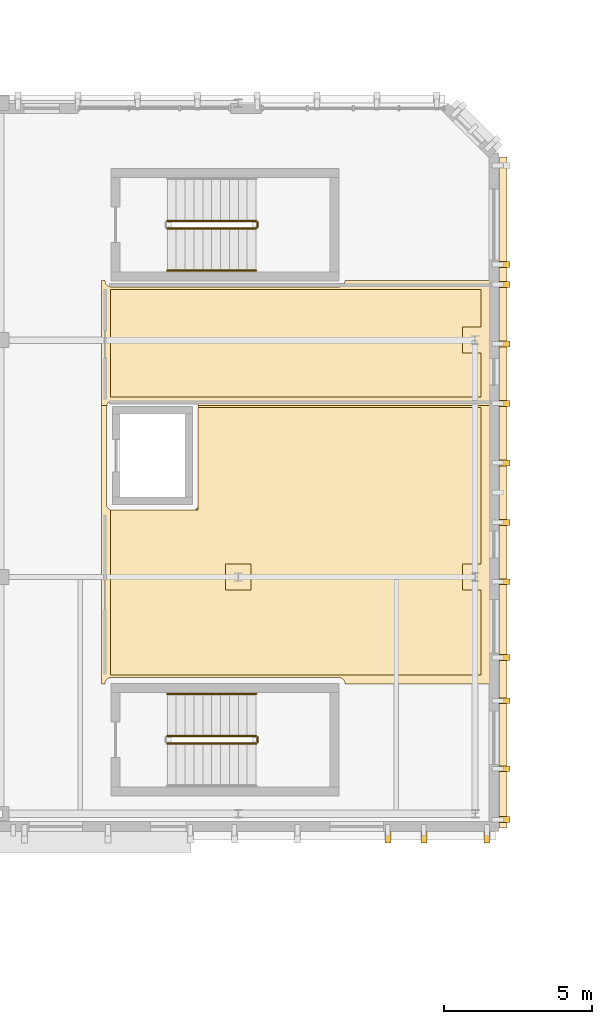
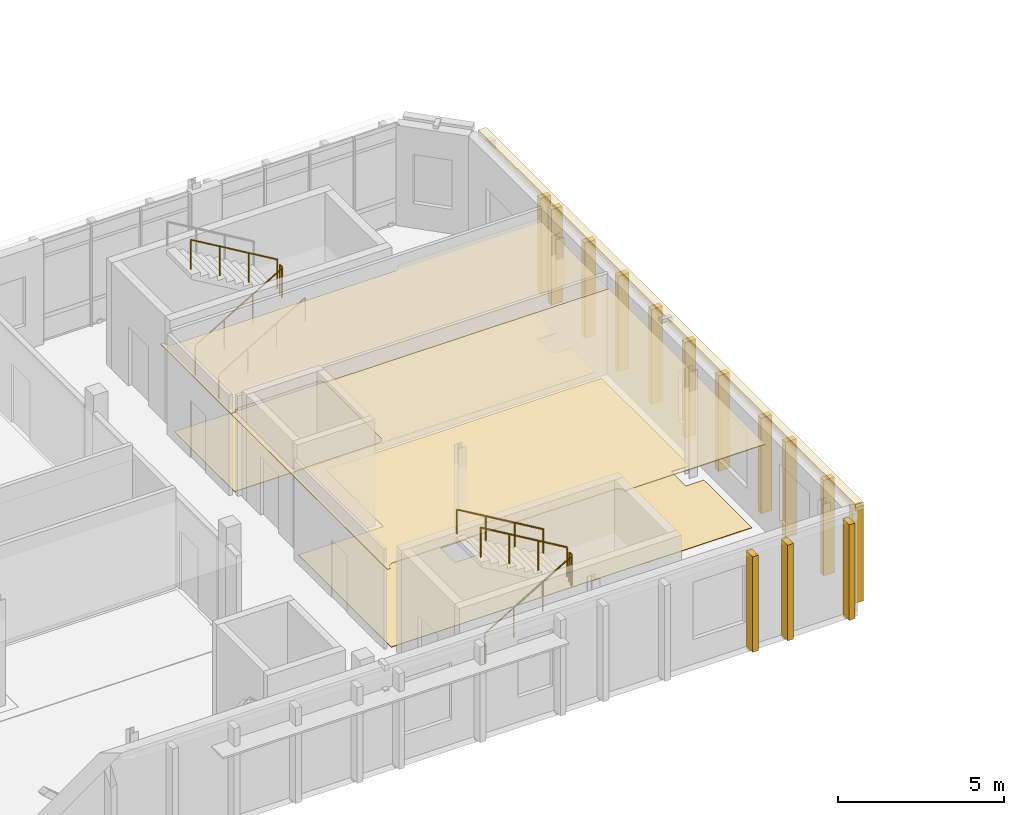
# One storey, part 36 of 40: 19 coverings, 8 railings.
"""IFC4 building model written with IfcOpenShell, lengths in metres."""

from ifc_helpers import new_model, si_unit, direction, frame, origin, origin_2d, place, context, subcontext, project, spatial, polyline, rectangle, circle, outline, extrude, material, layer, layer_set, type_object, element, save


model = new_model("IFC4")

# Units and contexts
model_context = context("Model", 3, precision=1e-05, world=origin(), true_north=direction((0.0, 1.0)))
body_context = subcontext(model_context, "Body", "Model", "MODEL_VIEW")
ifc_project = project(units=[si_unit("LENGTHUNIT", "METRE"), si_unit("AREAUNIT", "SQUARE_METRE"), si_unit("VOLUMEUNIT", "CUBIC_METRE"), si_unit("PLANEANGLEUNIT", "RADIAN"), si_unit("MASSUNIT", "GRAM", prefix="KILO")], contexts=[model_context])

# Site, building, storey
site_placement = place(None, origin())
site = spatial("IfcSite", under=ifc_project, at=site_placement, CompositionType="ELEMENT")
building_placement = place(site_placement, origin())
building = spatial("IfcBuilding", under=site, at=building_placement, Name="Cymarion Research Institute", CompositionType="ELEMENT")
storey_placement = place(building_placement, frame((0.0, 0.0, 26.699951171875)))
storey = spatial("IfcBuildingStorey", under=building, at=storey_placement, Name="L06", CompositionType="ELEMENT", Elevation=26.699951171875)

# Coverings
ifc_material_1 = material(Name="Micro-perforated mineral acoustic ceiling tile", Category="gypsum")
ifc_layer_1 = layer(ifc_material_1, 0.030029296875)
ifc_layer_set_1 = layer_set([ifc_layer_1], Name="Micro-perforated mineral acoustic ceiling tile")
covering_type_1 = type_object("IfcCoveringType", Name="ACOUSTIC MICRO-PERFORATED SUSPENDED CEILING CLG-01", PredefinedType="CEILING", material=ifc_layer_set_1)
covering_1_placement = place(storey_placement, frame((0.0, 0.0, 3.130126953125)))
element("IfcCovering", 1, at=covering_1_placement, inside=storey, type_object=covering_type_1, Name="L06 L06 Optics Researcher Write-Up & Simulation Office acoustic ceiling", PredefinedType="CEILING", context=body_context, shape_type="SweptSolid", body=[
    extrude(outline(polyline([(47.094970703125, 61.514892578125), (47.094970703125, 51.885009765625), (42.199951171875, 51.885009765625), (42.199951171875, 51.89990234375), (42.198974609375, 51.919677734375), (42.1962890625, 51.93896484375), (42.19140625, 51.9580078125), (42.184814453125, 51.9765625), (42.176513671875, 51.994384765625), (42.166259765625, 52.010986328125), (42.154541015625, 52.02685546875), (42.141357421875, 52.04150390625), (42.126953125, 52.0546875), (42.111083984375, 52.06640625), (42.09423828125, 52.076416015625), (42.076416015625, 52.084716796875), (42.05810546875, 52.09130859375), (42.0390625, 52.09619140625), (42.01953125, 52.09912109375), (42.0, 52.10009765625), (34.300048828125, 52.10009765625), (34.280517578125, 52.09912109375), (34.260986328125, 52.09619140625), (34.241943359375, 52.09130859375), (34.223388671875, 52.084716796875), (34.205810546875, 52.076416015625), (34.18896484375, 52.06640625), (34.173095703125, 52.0546875), (34.15869140625, 52.04150390625), (34.1455078125, 52.02685546875), (34.1337890625, 52.010986328125), (34.12353515625, 51.994384765625), (34.115234375, 51.9765625), (34.108642578125, 51.9580078125), (34.103759765625, 51.93896484375), (34.10107421875, 51.919677734375), (34.10009765625, 51.89990234375), (34.10009765625, 51.885009765625), (33.985107421875, 51.885009765625), (33.985107421875, 61.514892578125), (47.094970703125, 61.514892578125)]), holes=[polyline([(34.31103515625, 57.75390625), (34.330322265625, 57.7509765625), (34.35009765625, 57.75), (37.050048828125, 57.75), (37.069580078125, 57.7509765625), (37.089111328125, 57.75390625), (37.108154296875, 57.758544921875), (37.12646484375, 57.76513671875), (37.144287109375, 57.773681640625), (37.1611328125, 57.78369140625), (37.177001953125, 57.79541015625), (37.19140625, 57.80859375), (37.20458984375, 57.822998046875), (37.21630859375, 57.8388671875), (37.226318359375, 57.855712890625), (37.23486328125, 57.87353515625), (37.241455078125, 57.891845703125), (37.24609375, 57.910888671875), (37.2490234375, 57.930419921875), (37.25, 57.949951171875), (37.25, 61.25), (37.2490234375, 61.26953125), (37.24609375, 61.2890625), (37.241455078125, 61.30810546875), (37.23486328125, 61.326416015625), (37.226318359375, 61.34423828125), (37.21630859375, 61.361083984375), (37.20458984375, 61.376953125), (37.19140625, 61.391357421875), (37.177001953125, 61.404541015625), (37.1611328125, 61.416259765625), (37.144287109375, 61.426513671875), (37.12646484375, 61.434814453125), (37.108154296875, 61.44140625), (37.089111328125, 61.4462890625), (37.069580078125, 61.448974609375), (37.050048828125, 61.449951171875), (34.35009765625, 61.449951171875), (34.330322265625, 61.448974609375), (34.31103515625, 61.4462890625), (34.2919921875, 61.44140625), (34.2734375, 61.434814453125), (34.255615234375, 61.426513671875), (34.239013671875, 61.416259765625), (34.22314453125, 61.404541015625), (34.20849609375, 61.391357421875), (34.1953125, 61.376953125), (34.18359375, 61.361083984375), (34.173583984375, 61.34423828125), (34.165283203125, 61.326416015625), (34.15869140625, 61.30810546875), (34.15380859375, 61.2890625), (34.15087890625, 61.26953125), (34.14990234375, 61.25), (34.14990234375, 57.949951171875), (34.15087890625, 57.930419921875), (34.15380859375, 57.910888671875), (34.15869140625, 57.891845703125), (34.165283203125, 57.87353515625), (34.173583984375, 57.855712890625), (34.18359375, 57.8388671875), (34.1953125, 57.822998046875), (34.20849609375, 57.80859375), (34.22314453125, 57.79541015625), (34.239013671875, 57.78369140625), (34.255615234375, 57.773681640625), (34.2734375, 57.76513671875), (34.2919921875, 57.758544921875), (34.31103515625, 57.75390625)])]), origin(), (0.0, 0.0, 1.0), 0.030029296875),
])
covering_2_placement = place(storey_placement, frame((0.0, 0.0, 3.130126953125)))
element("IfcCovering", 2, at=covering_2_placement, inside=storey, type_object=covering_type_1, Name="L06 L06 Accessible WC and Upper V4 Staff Washrooms acoustic ceiling", PredefinedType="CEILING", context=body_context, shape_type="SweptSolid", body=[
    extrude(outline(polyline([(34.10009765625, 65.514892578125), (34.10009765625, 65.5), (34.10107421875, 65.48046875), (34.103759765625, 65.4609375), (34.108642578125, 65.44189453125), (34.115234375, 65.423583984375), (34.12353515625, 65.40576171875), (34.1337890625, 65.388916015625), (34.1455078125, 65.373046875), (34.15869140625, 65.358642578125), (34.173095703125, 65.345458984375), (34.18896484375, 65.333740234375), (34.205810546875, 65.323486328125), (34.223388671875, 65.315185546875), (34.241943359375, 65.30859375), (34.260986328125, 65.3037109375), (34.280517578125, 65.301025390625), (34.300048828125, 65.300048828125), (42.0, 65.300048828125), (42.01953125, 65.301025390625), (42.0390625, 65.3037109375), (42.05810546875, 65.30859375), (42.076416015625, 65.315185546875), (42.09423828125, 65.323486328125), (42.111083984375, 65.333740234375), (42.126953125, 65.345458984375), (42.141357421875, 65.358642578125), (42.154541015625, 65.373046875), (42.166259765625, 65.388916015625), (42.176513671875, 65.40576171875), (42.184814453125, 65.423583984375), (42.19140625, 65.44189453125), (42.1962890625, 65.4609375), (42.198974609375, 65.48046875), (42.199951171875, 65.5), (42.199951171875, 65.514892578125), (47.094970703125, 65.514892578125), (47.094970703125, 61.284912109375), (37.246826171875, 61.284912109375), (37.24609375, 61.2890625), (37.241455078125, 61.30810546875), (37.23486328125, 61.326416015625), (37.226318359375, 61.34423828125), (37.21630859375, 61.361083984375), (37.20458984375, 61.376953125), (37.19140625, 61.391357421875), (37.177001953125, 61.404541015625), (37.1611328125, 61.416259765625), (37.144287109375, 61.426513671875), (37.12646484375, 61.434814453125), (37.108154296875, 61.44140625), (37.089111328125, 61.4462890625), (37.069580078125, 61.448974609375), (37.050048828125, 61.449951171875), (34.35009765625, 61.449951171875), (34.330322265625, 61.448974609375), (34.31103515625, 61.4462890625), (34.2919921875, 61.44140625), (34.2734375, 61.434814453125), (34.255615234375, 61.426513671875), (34.239013671875, 61.416259765625), (34.22314453125, 61.404541015625), (34.20849609375, 61.391357421875), (34.1953125, 61.376953125), (34.18359375, 61.361083984375), (34.173583984375, 61.34423828125), (34.165283203125, 61.326416015625), (34.15869140625, 61.30810546875), (34.15380859375, 61.2890625), (34.1533203125, 61.284912109375), (33.985107421875, 61.284912109375), (33.985107421875, 65.514892578125), (34.10009765625, 65.514892578125)])), origin(), (0.0, 0.0, 1.0), 0.030029296875),
])

# Railings
ifc_material_2 = material(Name="Steel S355", Category="steel")
railing_type_1 = type_object("IfcRailingType", Name="PAINTED STEEL STAIR GUARDRAIL GR1 1100MM", PredefinedType="GUARDRAIL", material=ifc_material_2)
railing_1_placement = place(storey_placement, frame((36.199951171875, 49.8701171875, 0.17724609375)))
element("IfcRailing", 3, at=railing_1_placement, inside=storey, type_object=railing_type_1, Name="L06 ST7 stair guard 1", PredefinedType="GUARDRAIL", context=body_context, shape_type="SweptSolid", body=[
    extrude(circle(Radius=0.02392578125, at=origin_2d()), frame((0.0, 0.0, 1.076171875), z_axis=(0.86092931783, 0.0, 0.508724591208), x_axis=(0.0, 1.0, 0.0)), (0.0, 0.0, 1.0), 3.484619140625),
    extrude(circle(Radius=0.02099609375, at=origin_2d()), origin(), (0.0, 0.0, 1.0), 1.052001953125),
    extrude(circle(Radius=0.02099609375, at=origin_2d()), frame((1.0, 0.0, 0.5908203125)), (0.0, 0.0, 1.0), 1.052001953125),
    extrude(circle(Radius=0.02099609375, at=origin_2d()), frame((2.0, 0.0, 1.181884765625)), (0.0, 0.0, 1.0), 1.052001953125),
    extrude(circle(Radius=0.02099609375, at=origin_2d()), frame((3.0, 0.0, 1.772705078125)), (0.0, 0.0, 1.0), 1.052001953125),
])
railing_2_placement = place(storey_placement, frame((39.25, 49.919921875, 1.949951171875)))
element("IfcRailing", 4, at=railing_2_placement, inside=storey, type_object=railing_type_1, Name="L06 ST7 stair guard 2", PredefinedType="GUARDRAIL", context=body_context, shape_type="SweptSolid", body=[
    extrude(circle(Radius=0.02392578125, at=origin_2d()), frame((0.0, 0.0, 1.076171875), z_axis=(0.0, 1.0, 0.0), x_axis=(-1.0, 0.0, 0.0)), (0.0, 0.0, 1.0), 0.16015625),
    extrude(circle(Radius=0.02099609375, at=origin_2d()), origin(), (0.0, 0.0, 1.0), 1.052001953125),
    extrude(circle(Radius=0.02099609375, at=origin_2d()), frame((0.0, 0.16015625, 0.0)), (0.0, 0.0, 1.0), 1.052001953125),
])
railing_3_placement = place(storey_placement, frame((39.199951171875, 50.1298828125, 2.12744140625)))
element("IfcRailing", 5, at=railing_3_placement, inside=storey, type_object=railing_type_1, Name="L06 ST7 stair guard 3", PredefinedType="GUARDRAIL", context=body_context, shape_type="SweptSolid", body=[
    extrude(circle(Radius=0.02392578125, at=origin_2d()), frame((0.0, 0.0, 1.076171875), z_axis=(-0.86092931783, 0.0, 0.508724591208), x_axis=(0.0, -1.0, 0.0)), (0.0, 0.0, 1.0), 3.484619140625),
    extrude(circle(Radius=0.02099609375, at=origin_2d()), origin(), (0.0, 0.0, 1.0), 1.052001953125),
    extrude(circle(Radius=0.02099609375, at=origin_2d()), frame((-1.0, 0.0, 0.5908203125)), (0.0, 0.0, 1.0), 1.052001953125),
    extrude(circle(Radius=0.02099609375, at=origin_2d()), frame((-2.0, 0.0, 1.181884765625)), (0.0, 0.0, 1.0), 1.052001953125),
    extrude(circle(Radius=0.02099609375, at=origin_2d()), frame((-3.0, 0.0, 1.772705078125)), (0.0, 0.0, 1.0), 1.052001953125),
])
railing_4_placement = place(storey_placement, frame((36.199951171875, 67.27001953125, 0.17724609375)))
element("IfcRailing", 6, at=railing_4_placement, inside=storey, type_object=railing_type_1, Name="L06 ST8 stair guard 1", PredefinedType="GUARDRAIL", context=body_context, shape_type="SweptSolid", body=[
    extrude(circle(Radius=0.02392578125, at=origin_2d()), frame((0.0, 0.0, 1.076171875), z_axis=(0.86092931783, 0.0, 0.508724591208), x_axis=(0.0, 1.0, 0.0)), (0.0, 0.0, 1.0), 3.484619140625),
    extrude(circle(Radius=0.02099609375, at=origin_2d()), origin(), (0.0, 0.0, 1.0), 1.052001953125),
    extrude(circle(Radius=0.02099609375, at=origin_2d()), frame((1.0, 0.0, 0.5908203125)), (0.0, 0.0, 1.0), 1.052001953125),
    extrude(circle(Radius=0.02099609375, at=origin_2d()), frame((2.0, 0.0, 1.181884765625)), (0.0, 0.0, 1.0), 1.052001953125),
    extrude(circle(Radius=0.02099609375, at=origin_2d()), frame((3.0, 0.0, 1.772705078125)), (0.0, 0.0, 1.0), 1.052001953125),
])
railing_5_placement = place(storey_placement, frame((39.25, 67.320068359375, 1.949951171875)))
element("IfcRailing", 7, at=railing_5_placement, inside=storey, type_object=railing_type_1, Name="L06 ST8 stair guard 2", PredefinedType="GUARDRAIL", context=body_context, shape_type="SweptSolid", body=[
    extrude(circle(Radius=0.02392578125, at=origin_2d()), frame((0.0, 0.0, 1.076171875), z_axis=(0.0, 1.0, 0.0), x_axis=(-1.0, 0.0, 0.0)), (0.0, 0.0, 1.0), 0.159912109375),
    extrude(circle(Radius=0.02099609375, at=origin_2d()), origin(), (0.0, 0.0, 1.0), 1.052001953125),
    extrude(circle(Radius=0.02099609375, at=origin_2d()), frame((0.0, 0.159912109375, 0.0)), (0.0, 0.0, 1.0), 1.052001953125),
])
railing_6_placement = place(storey_placement, frame((39.199951171875, 67.530029296875, 2.12744140625)))
element("IfcRailing", 8, at=railing_6_placement, inside=storey, type_object=railing_type_1, Name="L06 ST8 stair guard 3", PredefinedType="GUARDRAIL", context=body_context, shape_type="SweptSolid", body=[
    extrude(circle(Radius=0.02392578125, at=origin_2d()), frame((0.0, 0.0, 1.076171875), z_axis=(-0.86092931783, 0.0, 0.508724591208), x_axis=(0.0, -1.0, 0.0)), (0.0, 0.0, 1.0), 3.484619140625),
    extrude(circle(Radius=0.02099609375, at=origin_2d()), origin(), (0.0, 0.0, 1.0), 1.052001953125),
    extrude(circle(Radius=0.02099609375, at=origin_2d()), frame((-1.0, 0.0, 0.5908203125)), (0.0, 0.0, 1.0), 1.052001953125),
    extrude(circle(Radius=0.02099609375, at=origin_2d()), frame((-2.0, 0.0, 1.181884765625)), (0.0, 0.0, 1.0), 1.052001953125),
    extrude(circle(Radius=0.02099609375, at=origin_2d()), frame((-3.0, 0.0, 1.772705078125)), (0.0, 0.0, 1.0), 1.052001953125),
])

# Coverings
ifc_material_3 = material(Name="Precast concrete C45/55 architectural white", Category="concrete")
ifc_layer_2 = layer(ifc_material_3, 0.260009765625)
ifc_layer_set_2 = layer_set([ifc_layer_2], Name="Precast concrete C45/55 architectural white")
covering_type_2 = type_object("IfcCoveringType", Name="SCULPTURAL WHITE PRECAST CONCRETE SPANDREL BROW BAND RIB2 280MM", PredefinedType="CLADDING", material=ifc_layer_set_2)
covering_3_placement = place(storey_placement, frame((47.5419921875, 58.35009765625, 3.52001953125), z_axis=(0.0, 0.0, 1.0), x_axis=(1.0, 0.0, 0.0)))
element("IfcCovering", 9, at=covering_3_placement, inside=storey, type_object=covering_type_2, Name="L06 V4 precast spandrel brow band RIB2 #1119", PredefinedType="CLADDING", context=body_context, shape_type="SweptSolid", body=[
    extrude(rectangle(XDim=0.280029296875, YDim=22.659912109375, at=origin_2d()), origin(), (0.0, 0.0, 1.0), 0.260009765625),
])
ifc_layer_3 = layer(ifc_material_3, 0.199951171875)
ifc_layer_set_3 = layer_set([ifc_layer_3], Name="Precast concrete C45/55 architectural white")
covering_type_3 = type_object("IfcCoveringType", Name="SCULPTURAL WHITE PRECAST CONCRETE VERTICAL RIB RIB1 380X200", PredefinedType="CLADDING", material=ifc_layer_set_3)
for number, where, z_axis, x_axis, name in (
    (10, (43.64990234375, 46.7080078125, 0.010009765625), (0.0, 0.0, 1.0), (0.0, -1.0, 0.0), "L06 V4 sculptural precast vertical rib RIB1 #1116"),
    (11, (44.86669921875, 46.7080078125, 0.010009765625), (0.0, 0.0, 1.0), (0.0, -1.0, 0.0), "L06 V4 sculptural precast vertical rib RIB1 #1117"),
    (12, (47.0, 46.7080078125, 0.010009765625), (0.0, 0.0, 1.0), (0.0, -1.0, 0.0), "L06 V4 sculptural precast vertical rib RIB1 #1118"),
    (13, (47.592041015625, 47.300048828125, 0.010009765625), (0.0, 0.0, 1.0), (1.0, 0.0, 0.0), "L06 V4 sculptural precast vertical rib RIB1 #1120"),
    (14, (47.592041015625, 49.02001953125, 0.010009765625), (0.0, 0.0, 1.0), (1.0, 0.0, 0.0), "L06 V4 sculptural precast vertical rib RIB1 #1121"),
    (15, (47.592041015625, 51.318115234375, 0.010009765625), (0.0, 0.0, 1.0), (1.0, 0.0, 0.0), "L06 V4 sculptural precast vertical rib RIB1 #1122"),
    (16, (47.592041015625, 52.780029296875, 0.010009765625), (0.0, 0.0, 1.0), (1.0, 0.0, 0.0), "L06 V4 sculptural precast vertical rib RIB1 #1123"),
    (17, (47.592041015625, 55.33642578125, 0.010009765625), (0.0, 0.0, 1.0), (1.0, 0.0, 0.0), "L06 V4 sculptural precast vertical rib RIB1 #1124"),
    (18, (47.592041015625, 57.345458984375, 0.010009765625), (0.0, 0.0, 1.0), (1.0, 0.0, 0.0), "L06 V4 sculptural precast vertical rib RIB1 #1125"),
    (19, (47.592041015625, 59.3544921875, 0.010009765625), (0.0, 0.0, 1.0), (1.0, 0.0, 0.0), "L06 V4 sculptural precast vertical rib RIB1 #1126"),
    (20, (47.592041015625, 61.363525390625, 0.010009765625), (0.0, 0.0, 1.0), (1.0, 0.0, 0.0), "L06 V4 sculptural precast vertical rib RIB1 #1127"),
    (21, (47.592041015625, 63.372802734375, 0.010009765625), (0.0, 0.0, 1.0), (1.0, 0.0, 0.0), "L06 V4 sculptural precast vertical rib RIB1 #1128"),
    (22, (47.592041015625, 65.3818359375, 0.010009765625), (0.0, 0.0, 1.0), (1.0, 0.0, 0.0), "L06 V4 sculptural precast vertical rib RIB1 #1129"),
    (23, (47.592041015625, 66.054931640625, 0.010009765625), (0.0, 0.0, 1.0), (1.0, 0.0, 0.0), "L06 V4 sculptural precast vertical rib RIB1 #1130"),
):
    element("IfcCovering", number, at=place(storey_placement, frame(where, z_axis=z_axis, x_axis=x_axis)), inside=storey, type_object=covering_type_3, Name=name, PredefinedType="CLADDING", context=body_context, shape_type="SweptSolid", body=[
        extrude(rectangle(XDim=0.3798828125, YDim=0.199951171875, at=origin_2d()), origin(), (0.0, 0.0, 1.0), 3.5048828125),
    ])
ifc_material_4 = material(Name="Seamless dissipative epoxy resin flooring", Category="resin")
ifc_layer_4 = layer(ifc_material_4, 0.02001953125)
ifc_layer_set_4 = layer_set([ifc_layer_4], Name="Seamless dissipative epoxy resin flooring")
covering_type_4 = type_object("IfcCoveringType", Name="SEAMLESS ESD EPOXY LABORATORY FLOORING FLR-01", PredefinedType="FLOORING", material=ifc_layer_set_4)
covering_4_placement = place(storey_placement, origin())
element("IfcCovering", 24, at=covering_4_placement, inside=storey, type_object=covering_type_4, Name="L06 L06 Optics Researcher Write-Up & Simulation Office ESD epoxy flooring", PredefinedType="FLOORING", context=body_context, shape_type="SweptSolid", body=[
    extrude(outline(polyline([(37.235107421875, 61.215087890625), (46.794921875, 61.215087890625), (46.794921875, 55.93505859375), (46.1650390625, 55.93505859375), (46.1650390625, 55.06494140625), (46.794921875, 55.06494140625), (46.794921875, 52.18505859375), (34.284912109375, 52.18505859375), (34.284912109375, 57.764892578125), (37.235107421875, 57.764892578125), (37.235107421875, 61.215087890625)]), holes=[polyline([(38.1650390625, 55.93505859375), (38.1650390625, 55.06494140625), (39.034912109375, 55.06494140625), (39.034912109375, 55.93505859375), (38.1650390625, 55.93505859375)])]), origin(), (0.0, 0.0, 1.0), 0.02001953125),
])
covering_5_placement = place(storey_placement, origin())
element("IfcCovering", 25, at=covering_5_placement, inside=storey, type_object=covering_type_4, Name="L06 L06 Accessible WC and Upper V4 Staff Washrooms ESD epoxy flooring", PredefinedType="FLOORING", context=body_context, shape_type="SweptSolid", body=[
    extrude(outline(polyline([(34.284912109375, 65.215087890625), (46.794921875, 65.215087890625), (46.794921875, 63.93505859375), (46.1650390625, 63.93505859375), (46.1650390625, 63.06494140625), (46.794921875, 63.06494140625), (46.794921875, 61.5849609375), (34.284912109375, 61.5849609375), (34.284912109375, 65.215087890625)])), origin(), (0.0, 0.0, 1.0), 0.02001953125),
])

# Railings
railing_type_2 = type_object("IfcRailingType", Name="STAINLESS STEEL STAIR HANDRAIL HR1 900MM", PredefinedType="HANDRAIL", material=ifc_material_2)
railing_7_placement = place(storey_placement, frame((39.199951171875, 51.550048828125, 2.12744140625)))
element("IfcRailing", 26, at=railing_7_placement, inside=storey, type_object=railing_type_2, Name="L06 ST7 stair handrail 2", PredefinedType="HANDRAIL", context=body_context, shape_type="SweptSolid", body=[
    extrude(circle(Radius=0.02392578125, at=origin_2d()), frame((0.0, 0.0, 0.8759765625), z_axis=(-0.86092931783, 0.0, 0.508724591208), x_axis=(0.0, -1.0, 0.0)), (0.0, 0.0, 1.0), 3.484619140625),
    extrude(circle(Radius=0.02099609375, at=origin_2d()), origin(), (0.0, 0.0, 1.0), 0.851806640625),
    extrude(circle(Radius=0.02099609375, at=origin_2d()), frame((-1.0, 0.0, 0.5908203125)), (0.0, 0.0, 1.0), 0.851806640625),
    extrude(circle(Radius=0.02099609375, at=origin_2d()), frame((-2.0, 0.0, 1.181884765625)), (0.0, 0.0, 1.0), 0.851806640625),
    extrude(circle(Radius=0.02099609375, at=origin_2d()), frame((-3.0, 0.0, 1.772705078125)), (0.0, 0.0, 1.0), 0.851806640625),
])
railing_8_placement = place(storey_placement, frame((36.199951171875, 65.85009765625, 0.17724609375)))
element("IfcRailing", 27, at=railing_8_placement, inside=storey, type_object=railing_type_2, Name="L06 ST8 stair handrail 1", PredefinedType="HANDRAIL", context=body_context, shape_type="SweptSolid", body=[
    extrude(circle(Radius=0.02392578125, at=origin_2d()), frame((0.0, 0.0, 0.8759765625), z_axis=(0.86092931783, 0.0, 0.508724591208), x_axis=(0.0, 1.0, 0.0)), (0.0, 0.0, 1.0), 3.484619140625),
    extrude(circle(Radius=0.02099609375, at=origin_2d()), origin(), (0.0, 0.0, 1.0), 0.851806640625),
    extrude(circle(Radius=0.02099609375, at=origin_2d()), frame((1.0, 0.0, 0.5908203125)), (0.0, 0.0, 1.0), 0.851806640625),
    extrude(circle(Radius=0.02099609375, at=origin_2d()), frame((2.0, 0.0, 1.181884765625)), (0.0, 0.0, 1.0), 0.851806640625),
    extrude(circle(Radius=0.02099609375, at=origin_2d()), frame((3.0, 0.0, 1.772705078125)), (0.0, 0.0, 1.0), 0.851806640625),
])

save(model, "model.ifc")
